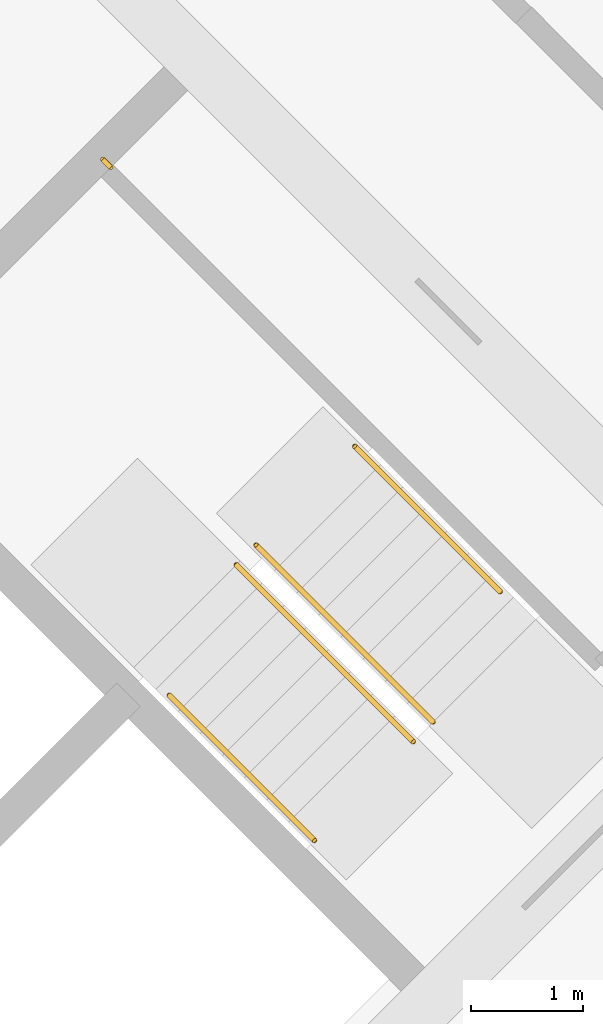
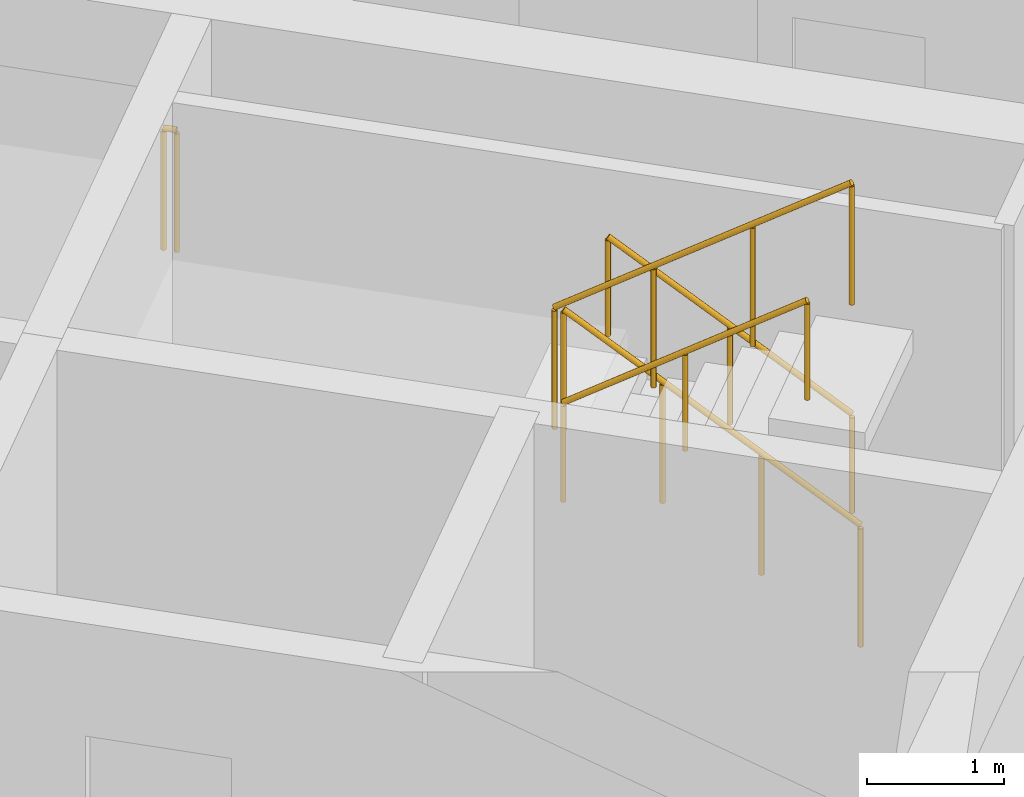
# One storey, part 13 of 13: 5 railings.
"""IFC4 building model written with IfcOpenShell, lengths in metres."""

from ifc_helpers import new_model, si_unit, direction, frame, origin, origin_2d, place, context, subcontext, project, spatial, circle, extrude, material, type_object, element, save


model = new_model("IFC4")

# Units and contexts
model_context = context("Model", 3, precision=1e-05, world=origin(), true_north=direction((0.0, 1.0)))
body_context = subcontext(model_context, "Body", "Model", "MODEL_VIEW")
ifc_project = project(units=[si_unit("LENGTHUNIT", "METRE"), si_unit("AREAUNIT", "SQUARE_METRE"), si_unit("VOLUMEUNIT", "CUBIC_METRE"), si_unit("PLANEANGLEUNIT", "RADIAN"), si_unit("MASSUNIT", "GRAM", prefix="KILO")], contexts=[model_context])

# Site, building, storey
site_placement = place(None, origin())
site = spatial("IfcSite", under=ifc_project, at=site_placement, CompositionType="ELEMENT")
building_placement = place(site_placement, origin())
building = spatial("IfcBuilding", under=site, at=building_placement, Name="Windrow Commons", CompositionType="ELEMENT")
storey_placement = place(building_placement, frame((0.0, 0.0, 223.6)))
storey = spatial("IfcBuildingStorey", under=building, at=storey_placement, Name="L61", CompositionType="ELEMENT", Elevation=223.6)

# Railings
ifc_material_1 = material(Name="Steel S355", Category="steel")
railing_type_1 = type_object("IfcRailingType", Name="Core stair guard 1100", PredefinedType="GUARDRAIL", material=ifc_material_1)
railing_1_placement = place(storey_placement, frame((94.2296, 48.4215, 0.1889)))
element("IfcRailing", 1, at=railing_1_placement, inside=storey, type_object=railing_type_1, Name="L61 ST-B2 stair guard 1", PredefinedType="GUARDRAIL", context=body_context, shape_type="SweptSolid", body=[
    extrude(circle(Radius=0.024, at=origin_2d()), frame((0.0, 0.0, 1.076), z_axis=(-0.5862157828, 0.5861787742, 0.5592365337), x_axis=(-0.7070844598, -0.7071291018, 0.0)), (0.0, 0.0, 1.0), 2.7021),
    extrude(circle(Radius=0.021, at=origin_2d()), origin(), (0.0, 0.0, 1.0), 1.052),
    extrude(circle(Radius=0.021, at=origin_2d()), frame((-0.528, 0.528, 0.5037)), (0.0, 0.0, 1.0), 1.052),
    extrude(circle(Radius=0.021, at=origin_2d()), frame((-1.056, 1.0559, 1.0074)), (0.0, 0.0, 1.0), 1.052),
    extrude(circle(Radius=0.021, at=origin_2d()), frame((-1.584, 1.5839, 1.5111)), (0.0, 0.0, 1.0), 1.052),
])
railing_2_placement = place(storey_placement, frame((92.4689, 49.8287, 1.8889)))
element("IfcRailing", 2, at=railing_2_placement, inside=storey, type_object=railing_type_1, Name="L61 ST-B2 stair guard 2", PredefinedType="GUARDRAIL", context=body_context, shape_type="SweptSolid", body=[
    extrude(circle(Radius=0.024, at=origin_2d()), frame((0.0, 0.0, 1.076), z_axis=(0.5861787742, -0.5862157828, 0.5592365337), x_axis=(0.7071291018, 0.7070844598, 0.0)), (0.0, 0.0, 1.0), 2.7021),
    extrude(circle(Radius=0.021, at=origin_2d()), origin(), (0.0, 0.0, 1.0), 1.052),
    extrude(circle(Radius=0.021, at=origin_2d()), frame((0.528, -0.528, 0.5037)), (0.0, 0.0, 1.0), 1.052),
    extrude(circle(Radius=0.021, at=origin_2d()), frame((1.0559, -1.056, 1.0074)), (0.0, 0.0, 1.0), 1.052),
    extrude(circle(Radius=0.021, at=origin_2d()), frame((1.5839, -1.584, 1.5111)), (0.0, 0.0, 1.0), 1.052),
])
railing_3_placement = place(storey_placement, frame((91.3446, 53.3854, 1.7)))
element("IfcRailing", 3, at=railing_3_placement, inside=storey, type_object=railing_type_1, Name="L61 ST-B2 stair guard 3", PredefinedType="GUARDRAIL", context=body_context, shape_type="SweptSolid", body=[
    extrude(circle(Radius=0.024, at=origin_2d()), frame((0.0, 0.0, 1.076), z_axis=(-0.7076063266, 0.7066068826, 0.0), x_axis=(-0.7066068826, -0.7076063266, 0.0)), (0.0, 0.0, 1.0), 0.1001),
    extrude(circle(Radius=0.021, at=origin_2d()), origin(), (0.0, 0.0, 1.0), 1.052),
    extrude(circle(Radius=0.021, at=origin_2d()), frame((-0.0708, 0.0707, 0.0)), (0.0, 0.0, 1.0), 1.052),
])
ifc_material_2 = material(Name="Steel S355", Category="steel")
railing_type_2 = type_object("IfcRailingType", Name="Core stair handrail 900", PredefinedType="HANDRAIL", material=ifc_material_2)
railing_4_placement = place(storey_placement, frame((94.8306, 49.5883, 0.4587)))
element("IfcRailing", 4, at=railing_4_placement, inside=storey, type_object=railing_type_2, Name="L61 ST-B2 stair handrail 1", PredefinedType="HANDRAIL", context=body_context, shape_type="SweptSolid", body=[
    extrude(circle(Radius=0.024, at=origin_2d()), frame((0.0, 0.0, 0.876), z_axis=(-0.586206706, 0.5861616513, 0.5592639952), x_axis=(-0.7070796062, -0.7071339551, 0.0)), (0.0, 0.0, 1.0), 2.2195),
    extrude(circle(Radius=0.021, at=origin_2d()), origin(), (0.0, 0.0, 1.0), 0.852),
    extrude(circle(Radius=0.021, at=origin_2d()), frame((-0.6506, 0.6505, 0.6207)), (0.0, 0.0, 1.0), 0.852),
    extrude(circle(Radius=0.021, at=origin_2d()), frame((-1.3011, 1.301, 1.2413)), (0.0, 0.0, 1.0), 0.852),
])
railing_5_placement = place(storey_placement, frame((91.8678, 48.6619, 2.1587)))
element("IfcRailing", 5, at=railing_5_placement, inside=storey, type_object=railing_type_2, Name="L61 ST-B2 stair handrail 2", PredefinedType="HANDRAIL", context=body_context, shape_type="SweptSolid", body=[
    extrude(circle(Radius=0.024, at=origin_2d()), frame((0.0, 0.0, 0.876), z_axis=(0.586206706, -0.5861616513, 0.5592639952), x_axis=(0.7070796062, 0.7071339551, 0.0)), (0.0, 0.0, 1.0), 2.2195),
    extrude(circle(Radius=0.021, at=origin_2d()), origin(), (0.0, 0.0, 1.0), 0.852),
    extrude(circle(Radius=0.021, at=origin_2d()), frame((0.6505, -0.6505, 0.6206)), (0.0, 0.0, 1.0), 0.852),
    extrude(circle(Radius=0.021, at=origin_2d()), frame((1.3011, -1.301, 1.2413)), (0.0, 0.0, 1.0), 0.852),
])

save(model, "model.ifc")
